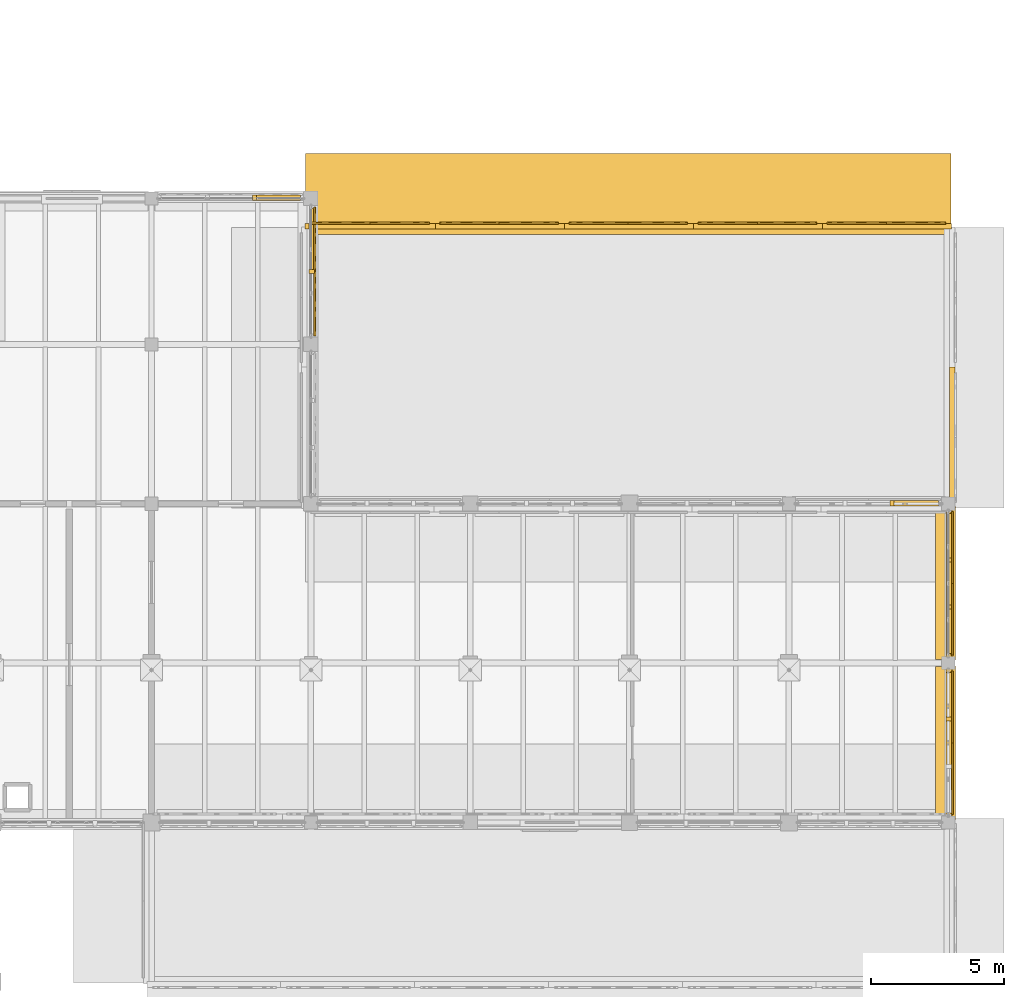
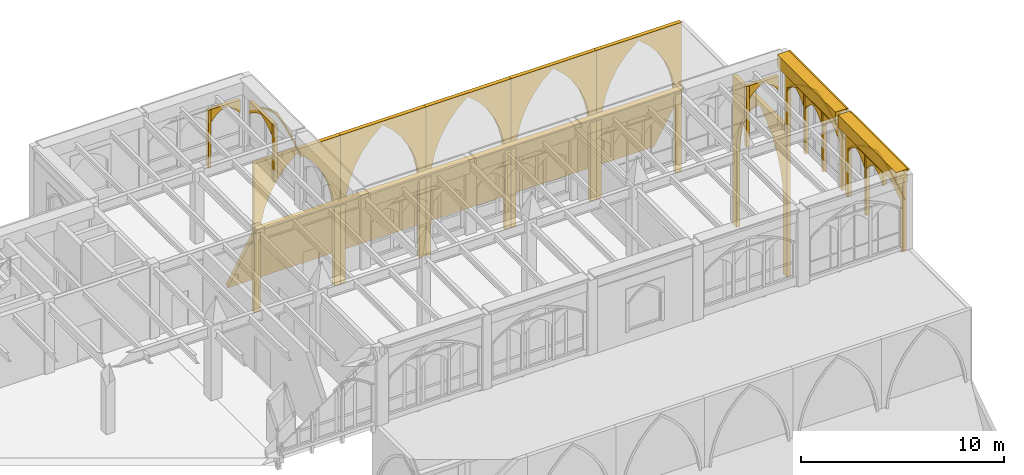
# One storey, part 141 of 143: 35 coverings.
"""IFC4 building model written with IfcOpenShell, lengths in metres."""

from ifc_helpers import new_model, si_unit, direction, frame, origin, origin_2d, place, context, subcontext, project, spatial, polyline, rectangle, outline, extrude, material, type_object, element, save


model = new_model("IFC4")

# Units and contexts
model_context = context("Model", 3, precision=1e-05, world=origin(), true_north=direction((0.0, 1.0)))
body_context = subcontext(model_context, "Body", "Model", "MODEL_VIEW")
ifc_project = project(units=[si_unit("LENGTHUNIT", "METRE"), si_unit("AREAUNIT", "SQUARE_METRE"), si_unit("VOLUMEUNIT", "CUBIC_METRE"), si_unit("PLANEANGLEUNIT", "RADIAN"), si_unit("MASSUNIT", "GRAM", prefix="KILO")], contexts=[model_context])

# Site, building, storey
site_placement = place(None, origin())
site = spatial("IfcSite", under=ifc_project, at=site_placement, CompositionType="ELEMENT")
building_placement = place(site_placement, origin())
building = spatial("IfcBuilding", under=site, at=building_placement, Name="Cumevento Cable Car Station", CompositionType="ELEMENT")
storey_placement = place(building_placement, frame((0.0, 0.0, 9.0)))
storey = spatial("IfcBuildingStorey", under=building, at=storey_placement, Name="L03", CompositionType="ELEMENT", Elevation=9.0)

# Coverings
ifc_material = material(Name="Gnaisse Facoidal Stone Ashlar 85 MPa", Category="masonry")
covering_type = type_object("IfcCoveringType", Name="Gnaisse Ashlar Cladding CV-CL01", PredefinedType="CLADDING", material=ifc_material)
covering_1_placement = place(storey_placement, frame((165.85009765625, 36.0, 3.8330078125), z_axis=(0.0, 0.0, 1.0), x_axis=(0.0, -1.0, 0.0)))
element("IfcCovering", 1, at=covering_1_placement, inside=storey, type_object=covering_type, Name="Gothic Stone Spandrel Stringcourse sc:0689", PredefinedType="CLADDING", context=body_context, shape_type="SweptSolid", body=[
    extrude(rectangle(XDim=5.739990234375, YDim=0.659912109375, at=origin_2d()), origin(), (0.0, 0.0, 1.0), 0.7470703125),
])
covering_2_placement = place(storey_placement, frame((166.20751953125, 36.0, 4.449951171875), z_axis=(0.0, 0.0, 1.0), x_axis=(0.0, -1.0, 0.0)))
element("IfcCovering", 2, at=covering_2_placement, inside=storey, type_object=covering_type, Name="Gothic Cornice Dripstone Lip sc:0689", PredefinedType="CLADDING", context=body_context, shape_type="SweptSolid", body=[
    extrude(rectangle(XDim=5.780029296875, YDim=0.114990234375, at=origin_2d()), origin(), (0.0, 0.0, 1.0), 0.1298828125),
])
covering_3_placement = place(storey_placement, frame((165.85009765625, 42.0, 3.8330078125), z_axis=(0.0, 0.0, 1.0), x_axis=(0.0, -1.0, 0.0)))
element("IfcCovering", 3, at=covering_3_placement, inside=storey, type_object=covering_type, Name="Gothic Stone Spandrel Stringcourse sc:0690", PredefinedType="CLADDING", context=body_context, shape_type="SweptSolid", body=[
    extrude(rectangle(XDim=5.739990234375, YDim=0.659912109375, at=origin_2d()), origin(), (0.0, 0.0, 1.0), 0.7470703125),
])
covering_4_placement = place(storey_placement, frame((166.20751953125, 42.0, 4.449951171875), z_axis=(0.0, 0.0, 1.0), x_axis=(0.0, -1.0, 0.0)))
element("IfcCovering", 4, at=covering_4_placement, inside=storey, type_object=covering_type, Name="Gothic Cornice Dripstone Lip sc:0690", PredefinedType="CLADDING", context=body_context, shape_type="SweptSolid", body=[
    extrude(rectangle(XDim=5.780029296875, YDim=0.114990234375, at=origin_2d()), origin(), (0.0, 0.0, 1.0), 0.1298828125),
])
covering_5_placement = place(storey_placement, frame((160.25, 45.0, -0.419921875), z_axis=(0.0, 0.0, 1.0), x_axis=(1.0, 0.0, 0.0)))
element("IfcCovering", 5, at=covering_5_placement, inside=storey, type_object=covering_type, Name="Gothic Bifora Stone Colonnette cw_ogival:0138 #2", PredefinedType="CLADDING", context=body_context, shape_type="SweptSolid", body=[
    extrude(outline(polyline([(3.563232421875, -0.02001953125), (3.71337890625, -0.02001953125), (3.71337890625, 3.622802734375), (3.563232421875, 3.622802734375), (3.563232421875, -0.02001953125)])), frame((0.0, 0.1279296875, 0.0), z_axis=(0.0, -1.0, 0.0), x_axis=(1.0, 0.0, 0.0)), (0.0, 0.0, 1.0), 0.205078125),
])
covering_6_placement = place(storey_placement, frame((163.933349609375, 45.0, 2.405029296875), z_axis=(0.0, 0.0, 1.0), x_axis=(1.0, 0.0, 0.0)))
element("IfcCovering", 6, at=covering_6_placement, inside=storey, type_object=covering_type, Name="Gothic Ogival Pointed-Arch Stone Spandrel cw_ogival:0138:sub:2", PredefinedType="CLADDING", context=body_context, shape_type="SweptSolid", body=[
    extrude(outline(polyline([(-0.02001953125, 0.0), (-0.02001953125, 0.797607421875), (1.706787109375, 0.797607421875), (1.706787109375, 0.0), (1.646728515625, 0.0), (1.5458984375, 0.14697265625), (1.429931640625, 0.2822265625), (1.30029296875, 0.404052734375), (1.157958984375, 0.511474609375), (1.005126953125, 0.60302734375), (0.84326171875, 0.677734375), (0.681640625, 0.60302734375), (0.52880859375, 0.511474609375), (0.386474609375, 0.404052734375), (0.2568359375, 0.2822265625), (0.140869140625, 0.14697265625), (0.0400390625, 0.0), (-0.02001953125, 0.0)])), frame((0.0, 0.1240234375, 0.0), z_axis=(0.0, -1.0, 0.0), x_axis=(1.0, 0.0, 0.0)), (0.0, 0.0, 1.0), 0.199951171875),
])
placement_1 = place(storey_placement, frame((166.0, 38.75, -0.3701171875), z_axis=(0.0, 0.0, 1.0), x_axis=(0.0, -1.0, 0.0)))
element("IfcCovering", 7, at=placement_1, inside=storey, type_object=covering_type, Name="Gothic Ogival Pointed-Arch Stone Spandrel cw_ogival:0139", PredefinedType="CLADDING", context=body_context, shape_type="SweptSolid", body=[
    extrude(outline(polyline([(-0.080078125, 0.0), (-0.080078125, 4.343017578125), (5.580078125, 4.343017578125), (5.580078125, 0.0), (5.340087890625, 0.0), (5.340087890625, 2.97314453125), (5.0439453125, 3.173583984375), (4.738525390625, 3.359130859375), (4.42431640625, 3.52978515625), (4.102294921875, 3.684814453125), (3.77294921875, 3.823974609375), (3.437255859375, 3.947021484375), (3.095947265625, 4.053466796875), (2.75, 4.14306640625), (2.404052734375, 4.053466796875), (2.062744140625, 3.947021484375), (1.72705078125, 3.823974609375), (1.397705078125, 3.684814453125), (1.07568359375, 3.52978515625), (0.761474609375, 3.359130859375), (0.4560546875, 3.173583984375), (0.159912109375, 2.97314453125), (0.159912109375, 0.0), (-0.080078125, 0.0)])), frame((0.0, 0.139892578125, 0.0), z_axis=(0.0, -1.0, 0.0), x_axis=(1.0, 0.0, 0.0)), (0.0, 0.0, 1.0), 0.219970703125),
])
covering_8_placement = place(storey_placement, frame((166.0, 38.75, 2.60302734375), z_axis=(0.0, 0.0, 1.0), x_axis=(0.0, -1.0, 0.0)))
element("IfcCovering", 8, at=covering_8_placement, inside=storey, type_object=covering_type, Name="Gothic Pointed Archivolt Hood Moulding cw_ogival:0139", PredefinedType="CLADDING", context=body_context, shape_type="SweptSolid", body=[
    extrude(outline(polyline([(0.159912109375, 0.0), (0.4560546875, 0.200439453125), (0.761474609375, 0.385986328125), (1.07568359375, 0.556640625), (1.397705078125, 0.711669921875), (1.72705078125, 0.850830078125), (2.062744140625, 0.973876953125), (2.404052734375, 1.080322265625), (2.75, 1.169921875), (3.095947265625, 1.080322265625), (3.437255859375, 0.973876953125), (3.77294921875, 0.850830078125), (4.102294921875, 0.711669921875), (4.42431640625, 0.556640625), (4.738525390625, 0.385986328125), (5.0439453125, 0.200439453125), (5.340087890625, 0.0), (5.449951171875, 0.0), (5.1455078125, 0.22314453125), (4.82958984375, 0.430419921875), (4.503662109375, 0.620849609375), (4.16796875, 0.794189453125), (3.823974609375, 0.949951171875), (3.472412109375, 1.087646484375), (3.114013671875, 1.206787109375), (2.75, 1.307373046875), (2.385986328125, 1.206787109375), (2.027587890625, 1.087646484375), (1.676025390625, 0.949951171875), (1.33203125, 0.794189453125), (0.996337890625, 0.620849609375), (0.67041015625, 0.430419921875), (0.3544921875, 0.22314453125), (0.050048828125, 0.0), (0.159912109375, 0.0)])), frame((0.0, 0.181884765625, 0.0), z_axis=(0.0, -1.0, 0.0), x_axis=(1.0, 0.0, 0.0)), (0.0, 0.0, 1.0), 0.06689453125),
])
element("IfcCovering", 9, at=placement_1, inside=storey, type_object=covering_type, Name="Gothic Bifora Stone Colonnette cw_ogival:0139 #1", PredefinedType="CLADDING", context=body_context, shape_type="SweptSolid", body=[
    extrude(outline(polyline([(1.78662109375, -0.02001953125), (1.936767578125, -0.02001953125), (1.936767578125, 3.581298828125), (1.78662109375, 3.581298828125), (1.78662109375, -0.02001953125)])), frame((0.0, 0.1279296875, 0.0), z_axis=(0.0, -1.0, 0.0), x_axis=(1.0, 0.0, 0.0)), (0.0, 0.0, 1.0), 0.205078125),
])
for number, where, z_axis, x_axis, name in (
    (10, (166.0, 38.6201171875, 2.423095703125), (0.0, 0.0, 1.0), (0.0, -1.0, 0.0), "Gothic Ogival Pointed-Arch Stone Spandrel cw_ogival:0139:sub:0"),
    (11, (166.0, 36.84326171875, 2.423095703125), (0.0, 0.0, 1.0), (0.0, -1.0, 0.0), "Gothic Ogival Pointed-Arch Stone Spandrel cw_ogival:0139:sub:1"),
):
    element("IfcCovering", number, at=place(storey_placement, frame(where, z_axis=z_axis, x_axis=x_axis)), inside=storey, type_object=covering_type, Name=name, PredefinedType="CLADDING", context=body_context, shape_type="SweptSolid", body=[
        extrude(outline(polyline([(-0.02001953125, 0.0), (-0.02001953125, 0.788330078125), (1.706787109375, 0.788330078125), (1.706787109375, 0.0), (1.646728515625, 0.0), (1.545166015625, 0.14501953125), (1.4287109375, 0.278564453125), (1.298828125, 0.39892578125), (1.156982421875, 0.504638671875), (1.004638671875, 0.5947265625), (0.84326171875, 0.668212890625), (0.68212890625, 0.5947265625), (0.52978515625, 0.504638671875), (0.387939453125, 0.39892578125), (0.258056640625, 0.278564453125), (0.1416015625, 0.14501953125), (0.0400390625, 0.0), (-0.02001953125, 0.0)])), frame((0.0, 0.1240234375, 0.0), z_axis=(0.0, -1.0, 0.0), x_axis=(1.0, 0.0, 0.0)), (0.0, 0.0, 1.0), 0.199951171875),
    ])
placement_2 = place(storey_placement, frame((166.0, 44.75, -0.320068359375), z_axis=(0.0, 0.0, 1.0), x_axis=(0.0, -1.0, 0.0)))
element("IfcCovering", 12, at=placement_2, inside=storey, type_object=covering_type, Name="Gothic Ogival Pointed-Arch Stone Spandrel cw_ogival:0140", PredefinedType="CLADDING", context=body_context, shape_type="SweptSolid", body=[
    extrude(outline(polyline([(-0.080078125, 0.0), (-0.080078125, 4.29296875), (5.580078125, 4.29296875), (5.580078125, 0.0), (5.340087890625, 0.0), (5.340087890625, 2.941162109375), (5.043212890625, 3.138671875), (4.7373046875, 3.321533203125), (4.4228515625, 3.489501953125), (4.1005859375, 3.64208984375), (3.771484375, 3.779052734375), (3.436279296875, 3.900146484375), (3.095458984375, 4.0048828125), (2.75, 4.093017578125), (2.404541015625, 4.0048828125), (2.063720703125, 3.900146484375), (1.728515625, 3.779052734375), (1.3994140625, 3.64208984375), (1.0771484375, 3.489501953125), (0.7626953125, 3.321533203125), (0.456787109375, 3.138671875), (0.159912109375, 2.941162109375), (0.159912109375, 0.0), (-0.080078125, 0.0)])), frame((0.0, 0.139892578125, 0.0), z_axis=(0.0, -1.0, 0.0), x_axis=(1.0, 0.0, 0.0)), (0.0, 0.0, 1.0), 0.219970703125),
])
covering_11_placement = place(storey_placement, frame((166.0, 44.75, 2.62109375), z_axis=(0.0, 0.0, 1.0), x_axis=(0.0, -1.0, 0.0)))
element("IfcCovering", 13, at=covering_11_placement, inside=storey, type_object=covering_type, Name="Gothic Pointed Archivolt Hood Moulding cw_ogival:0140", PredefinedType="CLADDING", context=body_context, shape_type="SweptSolid", body=[
    extrude(outline(polyline([(0.159912109375, 0.0), (0.456787109375, 0.197509765625), (0.7626953125, 0.38037109375), (1.0771484375, 0.54833984375), (1.3994140625, 0.700927734375), (1.728515625, 0.837890625), (2.063720703125, 0.958984375), (2.404541015625, 1.063720703125), (2.75, 1.15185546875), (3.095458984375, 1.063720703125), (3.436279296875, 0.958984375), (3.771484375, 0.837890625), (4.1005859375, 0.700927734375), (4.4228515625, 0.54833984375), (4.7373046875, 0.38037109375), (5.043212890625, 0.197509765625), (5.340087890625, 0.0), (5.449951171875, 0.0), (5.14453125, 0.22021484375), (4.828125, 0.424560546875), (4.501953125, 0.612548828125), (4.166259765625, 0.783447265625), (3.822509765625, 0.93701171875), (3.47119140625, 1.07275390625), (3.11328125, 1.1904296875), (2.75, 1.289306640625), (2.38671875, 1.1904296875), (2.02880859375, 1.07275390625), (1.677490234375, 0.93701171875), (1.333740234375, 0.783447265625), (0.998046875, 0.612548828125), (0.671875, 0.424560546875), (0.35546875, 0.22021484375), (0.050048828125, 0.0), (0.159912109375, 0.0)])), frame((0.0, 0.181884765625, 0.0), z_axis=(0.0, -1.0, 0.0), x_axis=(1.0, 0.0, 0.0)), (0.0, 0.0, 1.0), 0.06689453125),
])
element("IfcCovering", 14, at=placement_2, inside=storey, type_object=covering_type, Name="Gothic Bifora Stone Colonnette cw_ogival:0140 #1", PredefinedType="CLADDING", context=body_context, shape_type="SweptSolid", body=[
    extrude(outline(polyline([(1.78662109375, -0.02001953125), (1.936767578125, -0.02001953125), (1.936767578125, 3.5400390625), (1.78662109375, 3.5400390625), (1.78662109375, -0.02001953125)])), frame((0.0, 0.1279296875, 0.0), z_axis=(0.0, -1.0, 0.0), x_axis=(1.0, 0.0, 0.0)), (0.0, 0.0, 1.0), 0.205078125),
])
element("IfcCovering", 15, at=placement_2, inside=storey, type_object=covering_type, Name="Gothic Bifora Stone Colonnette cw_ogival:0140 #2", PredefinedType="CLADDING", context=body_context, shape_type="SweptSolid", body=[
    extrude(outline(polyline([(3.563232421875, -0.02001953125), (3.71337890625, -0.02001953125), (3.71337890625, 3.5400390625), (3.563232421875, 3.5400390625), (3.563232421875, -0.02001953125)])), frame((0.0, 0.1279296875, 0.0), z_axis=(0.0, -1.0, 0.0), x_axis=(1.0, 0.0, 0.0)), (0.0, 0.0, 1.0), 0.205078125),
])
for number, where, z_axis, x_axis, name in (
    (16, (166.0, 44.6201171875, 2.441162109375), (0.0, 0.0, 1.0), (0.0, -1.0, 0.0), "Gothic Ogival Pointed-Arch Stone Spandrel cw_ogival:0140:sub:0"),
    (17, (166.0, 42.84326171875, 2.441162109375), (0.0, 0.0, 1.0), (0.0, -1.0, 0.0), "Gothic Ogival Pointed-Arch Stone Spandrel cw_ogival:0140:sub:1"),
    (18, (166.0, 41.066650390625, 2.441162109375), (0.0, 0.0, 1.0), (0.0, -1.0, 0.0), "Gothic Ogival Pointed-Arch Stone Spandrel cw_ogival:0140:sub:2"),
):
    element("IfcCovering", number, at=place(storey_placement, frame(where, z_axis=z_axis, x_axis=x_axis)), inside=storey, type_object=covering_type, Name=name, PredefinedType="CLADDING", context=body_context, shape_type="SweptSolid", body=[
        extrude(outline(polyline([(-0.02001953125, 0.0), (-0.02001953125, 0.779052734375), (1.706787109375, 0.779052734375), (1.706787109375, 0.0), (1.646728515625, 0.0), (1.54443359375, 0.143310546875), (1.427734375, 0.27490234375), (1.297607421875, 0.3935546875), (1.15576171875, 0.497802734375), (1.00390625, 0.586669921875), (0.84326171875, 0.658935546875), (0.682861328125, 0.586669921875), (0.531005859375, 0.497802734375), (0.38916015625, 0.3935546875), (0.259033203125, 0.27490234375), (0.142333984375, 0.143310546875), (0.0400390625, 0.0), (-0.02001953125, 0.0)])), frame((0.0, 0.1240234375, 0.0), z_axis=(0.0, -1.0, 0.0), x_axis=(1.0, 0.0, 0.0)), (0.0, 0.0, 1.0), 0.199951171875),
    ])
covering_14_placement = place(storey_placement, frame((136.25, 56.5, -0.27001953125), z_axis=(0.0, 0.0, 1.0), x_axis=(1.0, 0.0, 0.0)))
element("IfcCovering", 19, at=covering_14_placement, inside=storey, type_object=covering_type, Name="Gothic Bifora Stone Colonnette cw_ogival:0141 #2", PredefinedType="CLADDING", context=body_context, shape_type="SweptSolid", body=[
    extrude(outline(polyline([(3.546630859375, -0.02001953125), (3.69677734375, -0.02001953125), (3.69677734375, 3.47900390625), (3.546630859375, 3.47900390625), (3.546630859375, -0.02001953125)])), frame((0.0, 0.1279296875, 0.0), z_axis=(0.0, -1.0, 0.0), x_axis=(1.0, 0.0, 0.0)), (0.0, 0.0, 1.0), 0.205078125),
])
covering_15_placement = place(storey_placement, frame((139.916748046875, 56.5, 2.44384765625), z_axis=(0.0, 0.0, 1.0), x_axis=(1.0, 0.0, 0.0)))
element("IfcCovering", 20, at=covering_15_placement, inside=storey, type_object=covering_type, Name="Gothic Ogival Pointed-Arch Stone Spandrel cw_ogival:0141:sub:2", PredefinedType="CLADDING", context=body_context, shape_type="SweptSolid", body=[
    extrude(outline(polyline([(-0.02001953125, 0.0), (-0.02001953125, 0.76513671875), (1.6982421875, 0.76513671875), (1.6982421875, 0.0), (1.638427734375, 0.0), (1.53564453125, 0.140380859375), (1.4189453125, 0.269287109375), (1.28955078125, 0.385498046875), (1.148681640625, 0.487548828125), (0.998046875, 0.574462890625), (0.839111328125, 0.64501953125), (0.68017578125, 0.574462890625), (0.529541015625, 0.487548828125), (0.388671875, 0.385498046875), (0.25927734375, 0.269287109375), (0.142578125, 0.140380859375), (0.0400390625, 0.0), (-0.02001953125, 0.0)])), frame((0.0, 0.1240234375, 0.0), z_axis=(0.0, -1.0, 0.0), x_axis=(1.0, 0.0, 0.0)), (0.0, 0.0, 1.0), 0.199951171875),
])
covering_16_placement = place(storey_placement, frame((142.0, 56.22509765625, 2.663330078125), z_axis=(0.0, 0.0, 1.0), x_axis=(0.0, -1.0, 0.0)))
element("IfcCovering", 21, at=covering_16_placement, inside=storey, type_object=covering_type, Name="Gothic Pointed Archivolt Hood Moulding cw_ogival:0143", PredefinedType="CLADDING", context=body_context, shape_type="SweptSolid", body=[
    extrude(outline(polyline([(0.159912109375, 0.0), (0.4228515625, 0.185546875), (0.694580078125, 0.35791015625), (0.974853515625, 0.51611328125), (1.262451171875, 0.659912109375), (1.55712890625, 0.7890625), (1.858154296875, 0.9033203125), (2.164306640625, 1.002197265625), (2.47509765625, 1.085693359375), (2.78564453125, 1.002197265625), (3.091796875, 0.9033203125), (3.392822265625, 0.7890625), (3.6875, 0.659912109375), (3.97509765625, 0.51611328125), (4.25537109375, 0.35791015625), (4.527099609375, 0.185546875), (4.7900390625, 0.0), (4.89990234375, 0.0), (4.628662109375, 0.20849609375), (4.3466796875, 0.402099609375), (4.0546875, 0.580078125), (3.75341796875, 0.742431640625), (3.44384765625, 0.88818359375), (3.127197265625, 1.01708984375), (2.8037109375, 1.12890625), (2.47509765625, 1.22314453125), (2.146240234375, 1.12890625), (1.82275390625, 1.01708984375), (1.506103515625, 0.88818359375), (1.196533203125, 0.742431640625), (0.895263671875, 0.580078125), (0.603271484375, 0.402099609375), (0.3212890625, 0.20849609375), (0.050048828125, 0.0), (0.159912109375, 0.0)])), frame((0.0, 0.181884765625, 0.0), z_axis=(0.0, -1.0, 0.0), x_axis=(1.0, 0.0, 0.0)), (0.0, 0.0, 1.0), 0.06689453125),
])
covering_17_placement = place(storey_placement, frame((142.0, 56.22509765625, -0.159912109375), z_axis=(0.0, 0.0, 1.0), x_axis=(0.0, -1.0, 0.0)))
element("IfcCovering", 22, at=covering_17_placement, inside=storey, type_object=covering_type, Name="Gothic Bifora Stone Colonnette cw_ogival:0143 #1", PredefinedType="CLADDING", context=body_context, shape_type="SweptSolid", body=[
    extrude(outline(polyline([(2.39990234375, -0.02001953125), (2.550048828125, -0.02001953125), (2.550048828125, 3.387939453125), (2.39990234375, 3.387939453125), (2.39990234375, -0.02001953125)])), frame((0.0, 0.1279296875, 0.0), z_axis=(0.0, -1.0, 0.0), x_axis=(1.0, 0.0, 0.0)), (0.0, 0.0, 1.0), 0.205078125),
])
covering_18_placement = place(storey_placement, frame((142.0, 56.094970703125, 2.4833984375), z_axis=(0.0, 0.0, 1.0), x_axis=(0.0, -1.0, 0.0)))
element("IfcCovering", 23, at=covering_18_placement, inside=storey, type_object=covering_type, Name="Gothic Ogival Pointed-Arch Stone Spandrel cw_ogival:0143:sub:0", PredefinedType="CLADDING", context=body_context, shape_type="SweptSolid", body=[
    extrude(outline(polyline([(-0.02001953125, 0.0), (-0.02001953125, 0.744384765625), (2.320068359375, 0.744384765625), (2.320068359375, 0.0), (2.260009765625, 0.0), (2.097412109375, 0.139404296875), (1.92431640625, 0.265625), (1.741943359375, 0.3779296875), (1.55126953125, 0.4755859375), (1.353515625, 0.557861328125), (1.14990234375, 0.62451171875), (0.946533203125, 0.557861328125), (0.748779296875, 0.4755859375), (0.55810546875, 0.3779296875), (0.375732421875, 0.265625), (0.20263671875, 0.139404296875), (0.0400390625, 0.0), (-0.02001953125, 0.0)])), frame((0.0, 0.1240234375, 0.0), z_axis=(0.0, -1.0, 0.0), x_axis=(1.0, 0.0, 0.0)), (0.0, 0.0, 1.0), 0.199951171875),
])
covering_19_placement = place(storey_placement, frame((166.10009765625, 50.125, -9.02001953125), z_axis=(0.0, 0.0, 1.0), x_axis=(0.0, -1.0, 0.0)))
element("IfcCovering", 24, at=covering_19_placement, inside=storey, type_object=covering_type, Name="Gothic Ogival Pointed-Arch Stone Spandrel cumevento_plinth:bank_arch:SLOPE_DEP_N:E:0", PredefinedType="CLADDING", context=body_context, shape_type="SweptSolid", body=[
    extrude(outline(polyline([(-0.030029296875, 0.0), (-0.030029296875, 8.97998046875), (5.304931640625, 8.97998046875), (5.304931640625, 0.0), (4.955078125, 0.0), (4.955078125, 4.47998046875), (4.885009765625, 5.321533203125), (4.677734375, 6.14013671875), (4.33837890625, 6.91357421875), (3.876220703125, 7.620361328125), (3.303955078125, 8.241455078125), (2.637451171875, 8.760009765625), (1.970947265625, 8.241455078125), (1.398681640625, 7.620361328125), (0.9365234375, 6.91357421875), (0.59716796875, 6.14013671875), (0.389892578125, 5.321533203125), (0.320068359375, 4.47998046875), (0.320068359375, 0.0), (-0.030029296875, 0.0)])), frame((0.0, 0.159912109375, 0.0), z_axis=(0.0, -1.0, 0.0), x_axis=(1.0, 0.0, 0.0)), (0.0, 0.0, 1.0), 0.219970703125),
])
covering_20_placement = place(storey_placement, frame((161.239990234375, 55.39990234375, -9.02001953125), z_axis=(0.0, 0.0, 1.0), x_axis=(1.0, 0.0, 0.0)))
element("IfcCovering", 25, at=covering_20_placement, inside=storey, type_object=covering_type, Name="Gothic Ogival Pointed-Arch Stone Spandrel cumevento_plinth:bank_arch:SLOPE_DEP_N:N:0", PredefinedType="CLADDING", context=body_context, shape_type="SweptSolid", body=[
    extrude(outline(polyline([(-0.030029296875, 0.0), (-0.030029296875, 8.97998046875), (4.889892578125, 8.97998046875), (4.889892578125, 0.0), (4.5400390625, 0.0), (4.5400390625, 4.47998046875), (4.477294921875, 5.300537109375), (4.29052734375, 6.10205078125), (3.98388671875, 6.865966796875), (3.564697265625, 7.57421875), (3.042724609375, 8.21044921875), (2.429931640625, 8.760009765625), (1.8173828125, 8.21044921875), (1.29541015625, 7.57421875), (0.876220703125, 6.865966796875), (0.569580078125, 6.10205078125), (0.3828125, 5.300537109375), (0.320068359375, 4.47998046875), (0.320068359375, 0.0), (-0.030029296875, 0.0)])), frame((0.0, 0.159912109375, 0.0), z_axis=(0.0, -1.0, 0.0), x_axis=(1.0, 0.0, 0.0)), (0.0, 0.0, 1.0), 0.219970703125),
])
covering_21_placement = place(storey_placement, frame((161.239990234375, 55.39990234375, -4.5400390625), z_axis=(0.0, 0.0, 1.0), x_axis=(1.0, 0.0, 0.0)))
element("IfcCovering", 26, at=covering_21_placement, inside=storey, type_object=covering_type, Name="Gothic Pointed Archivolt Hood Moulding cumevento_plinth:bank_arch:SLOPE_DEP_N:N:0", PredefinedType="CLADDING", context=body_context, shape_type="SweptSolid", body=[
    extrude(outline(polyline([(0.320068359375, 0.0), (0.3828125, 0.820556640625), (0.569580078125, 1.6220703125), (0.876220703125, 2.385986328125), (1.29541015625, 3.09423828125), (1.8173828125, 3.73046875), (2.429931640625, 4.280029296875), (3.042724609375, 3.73046875), (3.564697265625, 3.09423828125), (3.98388671875, 2.385986328125), (4.29052734375, 1.6220703125), (4.477294921875, 0.820556640625), (4.5400390625, 0.0), (4.660888671875, 0.0), (4.594482421875, 0.854248046875), (4.396484375, 1.687744140625), (4.07177734375, 2.480712890625), (3.62841796875, 3.213623046875), (3.07666015625, 3.869140625), (2.429931640625, 4.43115234375), (1.783447265625, 3.869140625), (1.231689453125, 3.213623046875), (0.788330078125, 2.480712890625), (0.463623046875, 1.687744140625), (0.265625, 0.854248046875), (0.198974609375, 0.0), (0.320068359375, 0.0)])), frame((0.0, 0.201904296875, 0.0), z_axis=(0.0, -1.0, 0.0), x_axis=(1.0, 0.0, 0.0)), (0.0, 0.0, 1.0), 0.06689453125),
])
covering_22_placement = place(storey_placement, frame((156.3798828125, 55.39990234375, -9.02001953125), z_axis=(0.0, 0.0, 1.0), x_axis=(1.0, 0.0, 0.0)))
element("IfcCovering", 27, at=covering_22_placement, inside=storey, type_object=covering_type, Name="Gothic Ogival Pointed-Arch Stone Spandrel cumevento_plinth:bank_arch:SLOPE_DEP_N:N:1", PredefinedType="CLADDING", context=body_context, shape_type="SweptSolid", body=[
    extrude(outline(polyline([(-0.030029296875, 0.0), (-0.030029296875, 8.97998046875), (4.889892578125, 8.97998046875), (4.889892578125, 0.0), (4.5400390625, 0.0), (4.5400390625, 4.47998046875), (4.477294921875, 5.300537109375), (4.29052734375, 6.10205078125), (3.98388671875, 6.865966796875), (3.564697265625, 7.57421875), (3.042724609375, 8.21044921875), (2.429931640625, 8.760009765625), (1.8173828125, 8.21044921875), (1.29541015625, 7.57421875), (0.876220703125, 6.865966796875), (0.569580078125, 6.10205078125), (0.3828125, 5.300537109375), (0.320068359375, 4.47998046875), (0.320068359375, 0.0), (-0.030029296875, 0.0)])), frame((0.0, 0.159912109375, 0.0), z_axis=(0.0, -1.0, 0.0), x_axis=(1.0, 0.0, 0.0)), (0.0, 0.0, 1.0), 0.219970703125),
])
covering_23_placement = place(storey_placement, frame((156.3798828125, 55.39990234375, -4.5400390625), z_axis=(0.0, 0.0, 1.0), x_axis=(1.0, 0.0, 0.0)))
element("IfcCovering", 28, at=covering_23_placement, inside=storey, type_object=covering_type, Name="Gothic Pointed Archivolt Hood Moulding cumevento_plinth:bank_arch:SLOPE_DEP_N:N:1", PredefinedType="CLADDING", context=body_context, shape_type="SweptSolid", body=[
    extrude(outline(polyline([(0.320068359375, 0.0), (0.3828125, 0.820556640625), (0.569580078125, 1.6220703125), (0.876220703125, 2.385986328125), (1.29541015625, 3.09423828125), (1.8173828125, 3.73046875), (2.429931640625, 4.280029296875), (3.042724609375, 3.73046875), (3.564697265625, 3.09423828125), (3.98388671875, 2.385986328125), (4.29052734375, 1.6220703125), (4.477294921875, 0.820556640625), (4.5400390625, 0.0), (4.660888671875, 0.0), (4.594482421875, 0.854248046875), (4.396484375, 1.687744140625), (4.07177734375, 2.480712890625), (3.62841796875, 3.213623046875), (3.07666015625, 3.869140625), (2.429931640625, 4.43115234375), (1.783447265625, 3.869140625), (1.231689453125, 3.213623046875), (0.788330078125, 2.480712890625), (0.463623046875, 1.687744140625), (0.265625, 0.854248046875), (0.198974609375, 0.0), (0.320068359375, 0.0)])), frame((0.0, 0.201904296875, 0.0), z_axis=(0.0, -1.0, 0.0), x_axis=(1.0, 0.0, 0.0)), (0.0, 0.0, 1.0), 0.06689453125),
])
covering_24_placement = place(storey_placement, frame((151.52001953125, 55.39990234375, -9.02001953125), z_axis=(0.0, 0.0, 1.0), x_axis=(1.0, 0.0, 0.0)))
element("IfcCovering", 29, at=covering_24_placement, inside=storey, type_object=covering_type, Name="Gothic Ogival Pointed-Arch Stone Spandrel cumevento_plinth:bank_arch:SLOPE_DEP_N:N:2", PredefinedType="CLADDING", context=body_context, shape_type="SweptSolid", body=[
    extrude(outline(polyline([(-0.030029296875, 0.0), (-0.030029296875, 8.97998046875), (4.889892578125, 8.97998046875), (4.889892578125, 0.0), (4.5400390625, 0.0), (4.5400390625, 4.47998046875), (4.477294921875, 5.300537109375), (4.29052734375, 6.10205078125), (3.98388671875, 6.865966796875), (3.564697265625, 7.57421875), (3.042724609375, 8.21044921875), (2.429931640625, 8.760009765625), (1.8173828125, 8.21044921875), (1.29541015625, 7.57421875), (0.876220703125, 6.865966796875), (0.569580078125, 6.10205078125), (0.3828125, 5.300537109375), (0.320068359375, 4.47998046875), (0.320068359375, 0.0), (-0.030029296875, 0.0)])), frame((0.0, 0.159912109375, 0.0), z_axis=(0.0, -1.0, 0.0), x_axis=(1.0, 0.0, 0.0)), (0.0, 0.0, 1.0), 0.219970703125),
])
covering_25_placement = place(storey_placement, frame((151.52001953125, 55.39990234375, -4.5400390625), z_axis=(0.0, 0.0, 1.0), x_axis=(1.0, 0.0, 0.0)))
element("IfcCovering", 30, at=covering_25_placement, inside=storey, type_object=covering_type, Name="Gothic Pointed Archivolt Hood Moulding cumevento_plinth:bank_arch:SLOPE_DEP_N:N:2", PredefinedType="CLADDING", context=body_context, shape_type="SweptSolid", body=[
    extrude(outline(polyline([(0.320068359375, 0.0), (0.3828125, 0.820556640625), (0.569580078125, 1.6220703125), (0.876220703125, 2.385986328125), (1.29541015625, 3.09423828125), (1.8173828125, 3.73046875), (2.429931640625, 4.280029296875), (3.042724609375, 3.73046875), (3.564697265625, 3.09423828125), (3.98388671875, 2.385986328125), (4.29052734375, 1.6220703125), (4.477294921875, 0.820556640625), (4.5400390625, 0.0), (4.660888671875, 0.0), (4.594482421875, 0.854248046875), (4.396484375, 1.687744140625), (4.07177734375, 2.480712890625), (3.62841796875, 3.213623046875), (3.07666015625, 3.869140625), (2.429931640625, 4.43115234375), (1.783447265625, 3.869140625), (1.231689453125, 3.213623046875), (0.788330078125, 2.480712890625), (0.463623046875, 1.687744140625), (0.265625, 0.854248046875), (0.198974609375, 0.0), (0.320068359375, 0.0)])), frame((0.0, 0.201904296875, 0.0), z_axis=(0.0, -1.0, 0.0), x_axis=(1.0, 0.0, 0.0)), (0.0, 0.0, 1.0), 0.06689453125),
])
covering_26_placement = place(storey_placement, frame((146.659912109375, 55.39990234375, -9.02001953125), z_axis=(0.0, 0.0, 1.0), x_axis=(1.0, 0.0, 0.0)))
element("IfcCovering", 31, at=covering_26_placement, inside=storey, type_object=covering_type, Name="Gothic Ogival Pointed-Arch Stone Spandrel cumevento_plinth:bank_arch:SLOPE_DEP_N:N:3", PredefinedType="CLADDING", context=body_context, shape_type="SweptSolid", body=[
    extrude(outline(polyline([(-0.030029296875, 0.0), (-0.030029296875, 8.97998046875), (4.889892578125, 8.97998046875), (4.889892578125, 0.0), (4.5400390625, 0.0), (4.5400390625, 4.47998046875), (4.477294921875, 5.300537109375), (4.29052734375, 6.10205078125), (3.98388671875, 6.865966796875), (3.564697265625, 7.57421875), (3.042724609375, 8.21044921875), (2.429931640625, 8.760009765625), (1.8173828125, 8.21044921875), (1.29541015625, 7.57421875), (0.876220703125, 6.865966796875), (0.569580078125, 6.10205078125), (0.3828125, 5.300537109375), (0.320068359375, 4.47998046875), (0.320068359375, 0.0), (-0.030029296875, 0.0)])), frame((0.0, 0.159912109375, 0.0), z_axis=(0.0, -1.0, 0.0), x_axis=(1.0, 0.0, 0.0)), (0.0, 0.0, 1.0), 0.219970703125),
])
covering_27_placement = place(storey_placement, frame((146.659912109375, 55.39990234375, -4.5400390625), z_axis=(0.0, 0.0, 1.0), x_axis=(1.0, 0.0, 0.0)))
element("IfcCovering", 32, at=covering_27_placement, inside=storey, type_object=covering_type, Name="Gothic Pointed Archivolt Hood Moulding cumevento_plinth:bank_arch:SLOPE_DEP_N:N:3", PredefinedType="CLADDING", context=body_context, shape_type="SweptSolid", body=[
    extrude(outline(polyline([(0.320068359375, 0.0), (0.3828125, 0.820556640625), (0.569580078125, 1.6220703125), (0.876220703125, 2.385986328125), (1.29541015625, 3.09423828125), (1.8173828125, 3.73046875), (2.429931640625, 4.280029296875), (3.042724609375, 3.73046875), (3.564697265625, 3.09423828125), (3.98388671875, 2.385986328125), (4.29052734375, 1.6220703125), (4.477294921875, 0.820556640625), (4.5400390625, 0.0), (4.660888671875, 0.0), (4.594482421875, 0.854248046875), (4.396484375, 1.687744140625), (4.07177734375, 2.480712890625), (3.62841796875, 3.213623046875), (3.07666015625, 3.869140625), (2.429931640625, 4.43115234375), (1.783447265625, 3.869140625), (1.231689453125, 3.213623046875), (0.788330078125, 2.480712890625), (0.463623046875, 1.687744140625), (0.265625, 0.854248046875), (0.198974609375, 0.0), (0.320068359375, 0.0)])), frame((0.0, 0.201904296875, 0.0), z_axis=(0.0, -1.0, 0.0), x_axis=(1.0, 0.0, 0.0)), (0.0, 0.0, 1.0), 0.06689453125),
])
covering_28_placement = place(storey_placement, frame((141.800048828125, 55.39990234375, -9.02001953125), z_axis=(0.0, 0.0, 1.0), x_axis=(1.0, 0.0, 0.0)))
element("IfcCovering", 33, at=covering_28_placement, inside=storey, type_object=covering_type, Name="Gothic Ogival Pointed-Arch Stone Spandrel cumevento_plinth:bank_arch:SLOPE_DEP_N:N:4", PredefinedType="CLADDING", context=body_context, shape_type="SweptSolid", body=[
    extrude(outline(polyline([(-0.030029296875, 0.0), (-0.030029296875, 8.97998046875), (4.889892578125, 8.97998046875), (4.889892578125, 0.0), (4.5400390625, 0.0), (4.5400390625, 4.47998046875), (4.477294921875, 5.300537109375), (4.29052734375, 6.10205078125), (3.98388671875, 6.865966796875), (3.564697265625, 7.57421875), (3.042724609375, 8.21044921875), (2.429931640625, 8.760009765625), (1.8173828125, 8.21044921875), (1.29541015625, 7.57421875), (0.876220703125, 6.865966796875), (0.569580078125, 6.10205078125), (0.3828125, 5.300537109375), (0.320068359375, 4.47998046875), (0.320068359375, 0.0), (-0.030029296875, 0.0)])), frame((0.0, 0.159912109375, 0.0), z_axis=(0.0, -1.0, 0.0), x_axis=(1.0, 0.0, 0.0)), (0.0, 0.0, 1.0), 0.219970703125),
])
covering_29_placement = place(storey_placement, frame((141.800048828125, 55.39990234375, -4.5400390625), z_axis=(0.0, 0.0, 1.0), x_axis=(1.0, 0.0, 0.0)))
element("IfcCovering", 34, at=covering_29_placement, inside=storey, type_object=covering_type, Name="Gothic Pointed Archivolt Hood Moulding cumevento_plinth:bank_arch:SLOPE_DEP_N:N:4", PredefinedType="CLADDING", context=body_context, shape_type="SweptSolid", body=[
    extrude(outline(polyline([(0.320068359375, 0.0), (0.3828125, 0.820556640625), (0.569580078125, 1.6220703125), (0.876220703125, 2.385986328125), (1.29541015625, 3.09423828125), (1.8173828125, 3.73046875), (2.429931640625, 4.280029296875), (3.042724609375, 3.73046875), (3.564697265625, 3.09423828125), (3.98388671875, 2.385986328125), (4.29052734375, 1.6220703125), (4.477294921875, 0.820556640625), (4.5400390625, 0.0), (4.660888671875, 0.0), (4.594482421875, 0.854248046875), (4.396484375, 1.687744140625), (4.07177734375, 2.480712890625), (3.62841796875, 3.213623046875), (3.07666015625, 3.869140625), (2.429931640625, 4.43115234375), (1.783447265625, 3.869140625), (1.231689453125, 3.213623046875), (0.788330078125, 2.480712890625), (0.463623046875, 1.687744140625), (0.265625, 0.854248046875), (0.198974609375, 0.0), (0.320068359375, 0.0)])), frame((0.0, 0.201904296875, 0.0), z_axis=(0.0, -1.0, 0.0), x_axis=(1.0, 0.0, 0.0)), (0.0, 0.0, 1.0), 0.06689453125),
])
covering_30_placement = place(storey_placement, frame((166.10009765625, 58.199951171875, -9.0400390625), z_axis=(0.0, 0.876757124685, 0.480933409439), x_axis=(-1.0, 0.0, 0.0)))
element("IfcCovering", 35, at=covering_30_placement, inside=storey, type_object=covering_type, Name="Sloped Gnaisse Hillside Talus SLOPE_DEP_N N", PredefinedType="CLADDING", context=body_context, shape_type="SweptSolid", body=[
    extrude(outline(polyline([(0.0, 0.0), (24.300048828125, 0.0), (24.300048828125, 5.946484950148968), (0.0, 5.946484950148968), (0.0, 0.0)])), origin(), (0.0, 0.0, -1.0), 0.219970703125),
])

save(model, "model.ifc")
